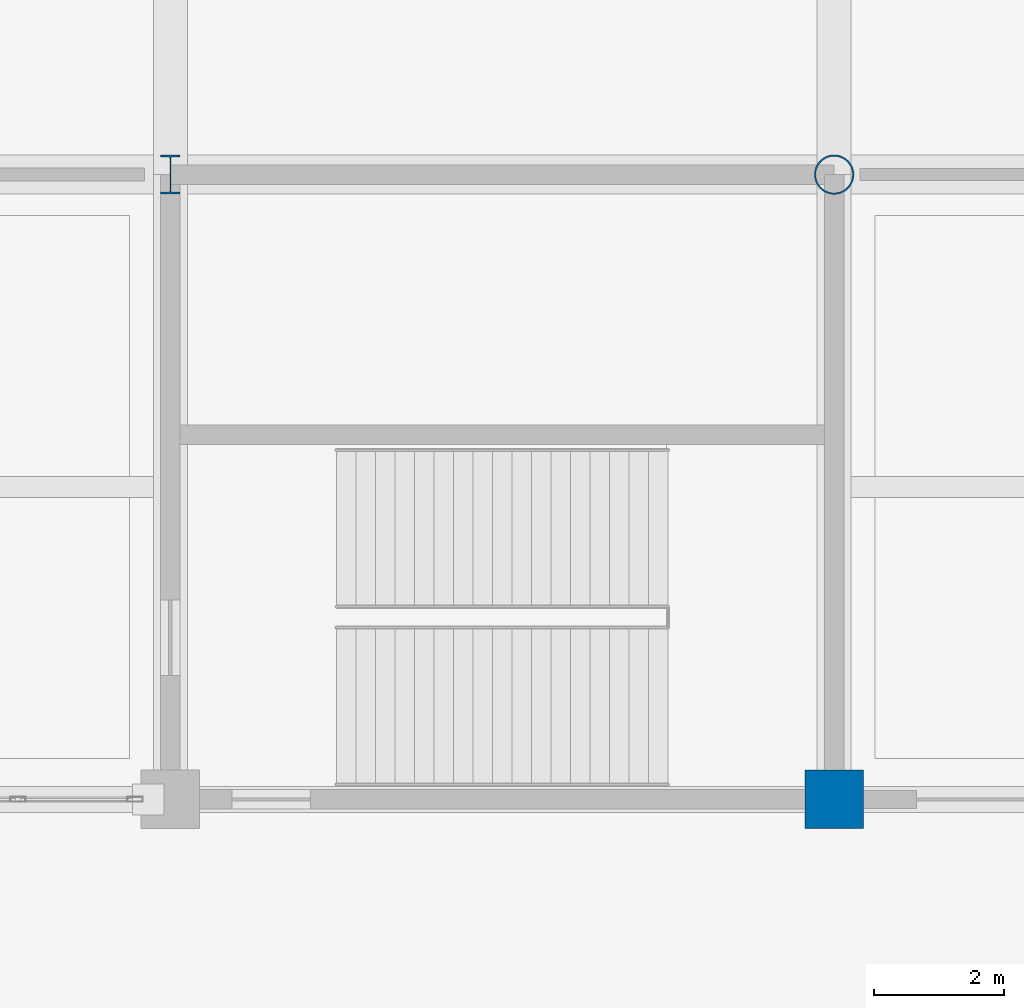
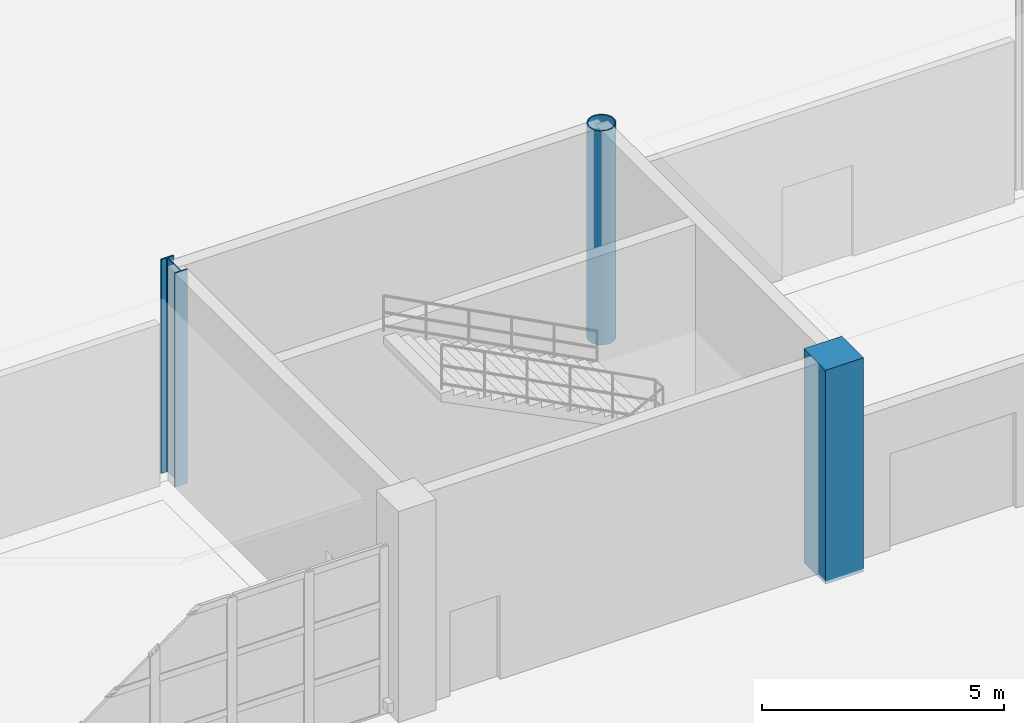
# One storey, part 2 of 124: 3 columns.
"""IFC4 building model written with IfcOpenShell, lengths in metres."""

from ifc_helpers import new_model, si_unit, direction, frame, origin, origin_2d, place, context, subcontext, project, spatial, rectangle, hollow_circle, i_section, extrude, material, material_profile, profile_set, type_object, element, save


model = new_model("IFC4")

# Units and contexts
model_context = context("Model", 3, precision=1e-05, world=origin(), true_north=direction((0.0, 1.0)))
body_context = subcontext(model_context, "Body", "Model", "MODEL_VIEW")
ifc_project = project(units=[si_unit("LENGTHUNIT", "METRE"), si_unit("AREAUNIT", "SQUARE_METRE"), si_unit("VOLUMEUNIT", "CUBIC_METRE"), si_unit("PLANEANGLEUNIT", "RADIAN"), si_unit("MASSUNIT", "GRAM", prefix="KILO")], contexts=[model_context])

# Site, building, storey
site_placement = place(None, origin())
site = spatial("IfcSite", under=ifc_project, at=site_placement, CompositionType="ELEMENT")
building_placement = place(site_placement, origin())
building = spatial("IfcBuilding", under=site, at=building_placement, Name="Brelvane Convention Centre", CompositionType="ELEMENT")
storey_placement = place(building_placement, origin())
storey = spatial("IfcBuildingStorey", under=building, at=storey_placement, Name="L00", CompositionType="ELEMENT", Elevation=0.0)

# Columns
ifc_material_1 = material(Name="Concrete M50", Category="concrete")
ifc_material_profile_1 = material_profile(ifc_material_1, rectangle(XDim=0.89990234375, YDim=0.89990234375, at=origin_2d()), Name="RC 900x900")
ifc_profile_set_1 = profile_set([ifc_material_profile_1], Name="Concrete M50")
column_type_1 = type_object("IfcColumnType", Name="RC Column C-RC2 (RC 900x900)", PredefinedType="COLUMN", material=ifc_profile_set_1)
column_1_placement = place(storey_placement, frame((61.199951171875, 19.199951171875, 0.0), z_axis=(0.0, 0.0, 1.0), x_axis=(1.0, 0.0, 0.0)))
element("IfcColumn", 1, at=column_1_placement, inside=storey, type_object=column_type_1, Name="Column 7-C (L00)", PredefinedType="COLUMN", context=body_context, shape_type="SweptSolid", body=[
    extrude(rectangle(XDim=0.89990234375, YDim=0.89990234375, at=origin_2d()), origin(), (0.0, 0.0, 1.0), 5.39990234375),
])
ifc_material_2 = material(Name="Steel E450 (450 MPa)", Category="steel")
ifc_material_profile_2 = material_profile(ifc_material_2, hollow_circle(Radius=0.304931640625, WallThickness=0.02490234375, at=origin_2d()), Name="CHS 610.0x25.0")
ifc_profile_set_2 = profile_set([ifc_material_profile_2], Name="Steel E450 (450 MPa)")
column_type_2 = type_object("IfcColumnType", Name="Steel Column C-ST1 (CHS 610.0x25.0)", PredefinedType="COLUMN", material=ifc_profile_set_2)
column_2_placement = place(storey_placement, frame((61.199951171875, 28.800048828125, 0.0), z_axis=(0.0, 0.0, 1.0), x_axis=(1.0, 0.0, 0.0)))
element("IfcColumn", 2, at=column_2_placement, inside=storey, type_object=column_type_2, Name="Column 7-D (L00)", PredefinedType="COLUMN", context=body_context, shape_type="SweptSolid", body=[
    extrude(hollow_circle(Radius=0.304931640625, WallThickness=0.02490234375, at=origin_2d()), origin(), (0.0, 0.0, 1.0), 5.39990234375),
])
ifc_material_3 = material(Name="Steel E450 (450 MPa)", Category="steel")
ifc_material_profile_3 = material_profile(ifc_material_3, i_section(OverallWidth=0.300048828125, OverallDepth=0.60009765625, WebThickness=0.015380859375, FlangeThickness=0.030029296875, FilletRadius=0.027099609375, at=origin_2d()), Name="WPB 600x300")
ifc_profile_set_3 = profile_set([ifc_material_profile_3], Name="Steel E450 (450 MPa)")
column_type_3 = type_object("IfcColumnType", Name="Steel Column C-ST5 (WPB 600x300)", PredefinedType="COLUMN", material=ifc_profile_set_3)
column_3_placement = place(storey_placement, frame((51.0, 28.800048828125, 0.0), z_axis=(0.0, 0.0, 1.0), x_axis=(1.0, 0.0, 0.0)))
element("IfcColumn", 3, at=column_3_placement, inside=storey, type_object=column_type_3, Name="Column 6-D (L00)", PredefinedType="COLUMN", context=body_context, shape_type="SweptSolid", body=[
    extrude(i_section(OverallWidth=0.300048828125, OverallDepth=0.60009765625, WebThickness=0.015380859375, FlangeThickness=0.030029296875, FilletRadius=0.027099609375, at=origin_2d()), origin(), (0.0, 0.0, 1.0), 5.39990234375),
])

save(model, "model.ifc")
